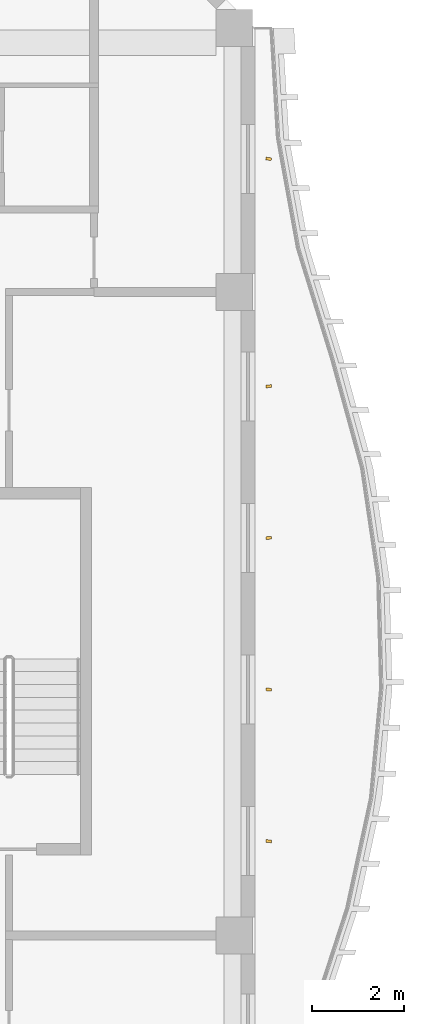
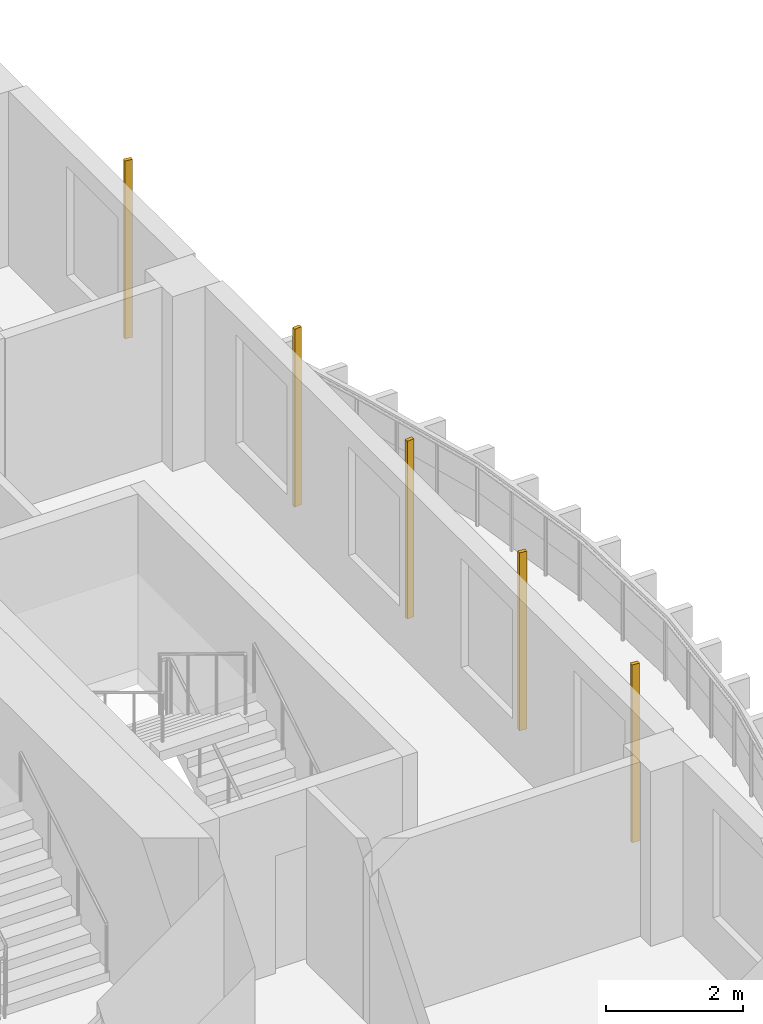
# One storey, part 21 of 21: 5 shading devices.
"""IFC4 building model written with IfcOpenShell, lengths in metres."""

import ifcopenshell
import ifcopenshell.guid

model = None  # the IFC model being written
_history = None  # IfcOwnerHistory: only IFC2X3 demands one
_inside = {}  # id of a spatial element -> (the spatial element, [elements in it])
_under = {}  # id of a project, library or spatial element -> (it, [spatial elements below it])
_declared = {}  # id of a project -> (the project, [libraries it declares])
_typed = {}  # id of a type object -> (the type object, [elements of that type])
_made_of = {}  # id of a material, layer set ... -> (it, [elements and type objects made of it])


def new_model(schema):
    """Start an empty IFC model of exactly this schema.

    Asked for "IFC4X3", IfcOpenShell would pick the latest addendum, in which some entities
    have other attributes; the version numbers below select the first issue.
    IFC2X3 requires an IfcOwnerHistory on every rooted entity: one is made here for all.
    """
    global model, _history
    if schema == "IFC4X3":
        model = ifcopenshell.file(schema_version=(4, 3, 0, 0))
    else:
        model = ifcopenshell.file(schema=schema)
    _inside.clear()
    _under.clear()
    _declared.clear()
    _typed.clear()
    _made_of.clear()
    _history = None
    if model.schema == "IFC2X3":
        org = make("IfcOrganization", Name="unknown")
        user = make(
            "IfcPersonAndOrganization",
            ThePerson=make("IfcPerson", FamilyName="unknown"),
            TheOrganization=org,
        )
        app = make(
            "IfcApplication",
            ApplicationDeveloper=org,
            Version="unknown",
            ApplicationFullName="unknown",
            ApplicationIdentifier="unknown",
        )
        _history = make(
            "IfcOwnerHistory",
            OwningUser=user,
            OwningApplication=app,
            ChangeAction="ADDED",
            CreationDate=0,
        )
    return model


def make(cls, **values):
    """One entity of the class cls with the attributes given. An attribute that is None is left unset."""
    return model.create_entity(
        cls, **{name: value for name, value in values.items() if value is not None}
    )


def rooted(cls, **values):
    """An entity with a GlobalId (a new one), such as an element, a storey or a relation."""
    return make(cls, GlobalId=ifcopenshell.guid.new(), OwnerHistory=_history, **values)


def si_unit(unit_type, name, prefix=None):
    """IfcSIUnit, for example si_unit("LENGTHUNIT", "METRE", prefix="MILLI")."""
    return make("IfcSIUnit", UnitType=unit_type, Prefix=prefix, Name=name)


def assignment(units):
    """IfcUnitAssignment: the units of a project."""
    return None if units is None else make("IfcUnitAssignment", Units=units)


def point(xyz):
    """IfcCartesianPoint."""
    return None if xyz is None else make("IfcCartesianPoint", Coordinates=xyz)


def direction(xyz):
    """IfcDirection."""
    return None if xyz is None else make("IfcDirection", DirectionRatios=xyz)


def frame(location, z_axis=None, x_axis=None):
    """IfcAxis2Placement3D, a coordinate frame: its origin and axes. An axis left out is left unset."""
    return make(
        "IfcAxis2Placement3D",
        Location=point(location),
        Axis=direction(z_axis),
        RefDirection=direction(x_axis),
    )


def frame_2d(location, x_axis=None):
    """IfcAxis2Placement2D, a coordinate frame in the plane: its origin and x axis."""
    return make(
        "IfcAxis2Placement2D", Location=point(location), RefDirection=direction(x_axis)
    )


def origin():
    """The frame at (0, 0, 0) with its axes left unset."""
    return frame((0.0, 0.0, 0.0))


def origin_2d():
    """The frame at (0, 0) in the plane with its x axis left unset."""
    return frame_2d((0.0, 0.0))


def place(relative_to, where):
    """IfcLocalPlacement: puts the frame where relative to a parent placement (None: the world)."""
    return make(
        "IfcLocalPlacement", PlacementRelTo=relative_to, RelativePlacement=where
    )


def context(
    kind, dimensions, precision=None, world=None, true_north=None, identifier=None
):
    """IfcGeometricRepresentationContext, for example the 3D "Model" context."""
    return make(
        "IfcGeometricRepresentationContext",
        ContextIdentifier=identifier,
        ContextType=kind,
        CoordinateSpaceDimension=dimensions,
        Precision=precision,
        WorldCoordinateSystem=world,
        TrueNorth=true_north,
    )


def subcontext(parent, identifier, kind, view, scale=None):
    """IfcGeometricRepresentationSubContext, for example "Body" below "Model"."""
    return make(
        "IfcGeometricRepresentationSubContext",
        ContextIdentifier=identifier,
        ContextType=kind,
        ParentContext=parent,
        TargetScale=scale,
        TargetView=view,
    )


def project(units=None, contexts=None):
    """IfcProject with its units and contexts."""
    return rooted(
        "IfcProject",
        Name="project",
        RepresentationContexts=contexts,
        UnitsInContext=assignment(units),
    )


def spatial(cls, under=None, at=None, **own):
    """A site, building, storey or space (cls), placed at a placement, below another one or the project."""
    s = rooted(cls, ObjectPlacement=at, **own)
    if under is not None:
        _under.setdefault(under.id(), (under, []))[1].append(s)
    return s


def profile(cls, at=None, kind="AREA", **sizes):
    """A parametric profile (cls). Its sizes go by their IFC names, for example OverallWidth=200.0."""
    return make(cls, ProfileType=kind, Position=at, **sizes)


def rectangle(**sizes):
    """IfcRectangleProfileDef."""
    return profile("IfcRectangleProfileDef", **sizes)


def extrude(swept, where, along, depth):
    """IfcExtrudedAreaSolid: the profile swept, set in the frame where, extruded along a direction by depth."""
    return make(
        "IfcExtrudedAreaSolid",
        SweptArea=swept,
        Position=where,
        ExtrudedDirection=direction(along),
        Depth=depth,
    )


def shape(context_of_items, identifier, shape_type, items):
    """IfcShapeRepresentation: the items that make up one representation, for example the "Body"."""
    return make(
        "IfcShapeRepresentation",
        ContextOfItems=context_of_items,
        RepresentationIdentifier=identifier,
        RepresentationType=shape_type,
        Items=items,
    )


def source(mapping_origin, context_of_items, identifier, shape_type, items):
    """IfcRepresentationMap: a shape defined once, which mapped items show again and again."""
    return make(
        "IfcRepresentationMap",
        MappingOrigin=mapping_origin,
        MappedRepresentation=shape(context_of_items, identifier, shape_type, items),
    )


def transform(
    local_origin,
    x_axis=None,
    y_axis=None,
    z_axis=None,
    scale=None,
    scale2=None,
    scale3=None,
    uniform=True,
):
    """IfcCartesianTransformationOperator3D, or its non-uniform kind. x_axis, y_axis, z_axis: its Axis1, 2, 3."""
    if uniform:
        return make(
            "IfcCartesianTransformationOperator3D",
            Axis1=direction(x_axis),
            Axis2=direction(y_axis),
            LocalOrigin=point(local_origin),
            Scale=scale,
            Axis3=direction(z_axis),
        )
    return make(
        "IfcCartesianTransformationOperator3DnonUniform",
        Axis1=direction(x_axis),
        Axis2=direction(y_axis),
        LocalOrigin=point(local_origin),
        Scale=scale,
        Axis3=direction(z_axis),
        Scale2=scale2,
        Scale3=scale3,
    )


def mapped(mapping_source, mapping_target):
    """IfcMappedItem: shows the shape of a source again, moved by a transform."""
    return make(
        "IfcMappedItem", MappingSource=mapping_source, MappingTarget=mapping_target
    )


def material(Name=None, Category=None):
    """IfcMaterial."""
    return make("IfcMaterial", Name=Name, Category=Category)


def material_profile(
    of_material, cross_section, Name=None, Category=None, Priority=None
):
    """IfcMaterialProfile: a cross section and its material."""
    return make(
        "IfcMaterialProfile",
        Name=Name,
        Material=of_material,
        Profile=cross_section,
        Priority=Priority,
        Category=Category,
    )


def profile_set(profiles, Name=None, composite=None):
    """IfcMaterialProfileSet."""
    return make(
        "IfcMaterialProfileSet",
        Name=Name,
        MaterialProfiles=profiles,
        CompositeProfile=composite,
    )


def made_of(thing, what):
    """Note that an element or type object is made of a material, layer set ...; save() writes the relation."""
    if what is not None:
        _made_of.setdefault(what.id(), (what, []))[1].append(thing)
    return thing


def type_object(cls, material=None, **own):
    """A type object (cls), such as IfcWallType, which elements share."""
    return made_of(rooted(cls, **own), material)


def element(
    cls,
    number,
    at=None,
    inside=None,
    cuts=None,
    type_object=None,
    material=None,
    context=None,
    identifier="Body",
    shape_type=None,
    held_by="IfcProductDefinitionShape",
    body=None,
    shapes=None,
    **own,
):
    """One element of the class cls, such as IfcWall. Its Tag is "e" and its number.

    at: its placement. inside: the storey or other place that contains it. cuts: it is an
    opening in that element (IfcRelVoidsElement). A single representation is given by context,
    identifier, shape_type and body (its items); several are given by shapes. held_by: the class
    of the entity that holds the representations. save() writes the other relations.
    """
    e = rooted(cls, Tag="e%d" % number, ObjectPlacement=at, **own)
    if body is not None:
        shapes = [shape(context, identifier, shape_type, body)]
    if shapes is not None:
        e.Representation = make(held_by, Representations=shapes)
    if inside is not None:
        _inside.setdefault(inside.id(), (inside, []))[1].append(e)
    if cuts is not None:
        rooted(
            "IfcRelVoidsElement", RelatingBuildingElement=cuts, RelatedOpeningElement=e
        )
    if type_object is not None:
        _typed.setdefault(type_object.id(), (type_object, []))[1].append(e)
    return made_of(e, material)


def aggregate(whole, parts):
    """IfcRelAggregates: a whole, such as a stair, and the parts it consists of."""
    return rooted("IfcRelAggregates", RelatingObject=whole, RelatedObjects=parts)


def save(model, path):
    """Write the relations noted so far, then the file.

    IfcRelAggregates (storeys below a building ...), IfcRelContainedInSpatialStructure (elements
    in a storey), IfcRelDefinesByType, IfcRelAssociatesMaterial and IfcRelDeclares: one each for
    every whole, place, type object, material and project.
    """
    for whole, parts in _under.values():
        aggregate(whole, parts)
    for where, things in _inside.values():
        rooted(
            "IfcRelContainedInSpatialStructure",
            RelatedElements=things,
            RelatingStructure=where,
        )
    for kind, things in _typed.values():
        rooted("IfcRelDefinesByType", RelatedObjects=things, RelatingType=kind)
    for what, things in _made_of.values():
        rooted("IfcRelAssociatesMaterial", RelatedObjects=things, RelatingMaterial=what)
    for by, libraries in _declared.values():
        rooted("IfcRelDeclares", RelatingContext=by, RelatedDefinitions=libraries)
    model.write(path)


model = new_model("IFC4")

# Units and contexts
model_context = context("Model", 3, precision=1e-05, world=origin(), true_north=direction((0.0, 1.0)))
body_context = subcontext(model_context, "Body", "Model", "MODEL_VIEW")
ifc_project = project(units=[si_unit("LENGTHUNIT", "METRE"), si_unit("AREAUNIT", "SQUARE_METRE"), si_unit("VOLUMEUNIT", "CUBIC_METRE"), si_unit("PLANEANGLEUNIT", "RADIAN"), si_unit("MASSUNIT", "GRAM", prefix="KILO")], contexts=[model_context])

# Site, building, storey
site_placement = place(None, origin())
site = spatial("IfcSite", under=ifc_project, at=site_placement, CompositionType="ELEMENT")
building_placement = place(site_placement, origin())
building = spatial("IfcBuilding", under=site, at=building_placement, Name="Kilnfold Tower and Market Hall", CompositionType="ELEMENT")
storey_placement = place(building_placement, frame((0.0, 0.0, 147.300048828125)))
storey = spatial("IfcBuildingStorey", under=building, at=storey_placement, Name="L33", CompositionType="ELEMENT", Elevation=147.300048828125)

# Shading devices
ifc_material = material(Name="Terracotta", Category="masonry")
ifc_material_profile = material_profile(ifc_material, rectangle(XDim=0.06005859375, YDim=0.1201171875, at=origin_2d()), Name="BAG 60x120")
ifc_profile_set = profile_set([ifc_material_profile], Name="Terracotta")
shading_device_type = type_object("IfcShadingDeviceType", Name="BAGUETTE", PredefinedType="USERDEFINED", material=ifc_profile_set)
shared_shape = source(origin(), body_context, "Body", "SweptSolid", [
    extrude(rectangle(XDim=0.06005859375, YDim=0.1201171875, at=origin_2d()), origin(), (0.0, 0.0, 1.0), 3.179931640625),
])
for number, where, z_axis, x_axis, name in (
    (1, (25.550048828125, 10.050048828125, 0.0), (0.0, 0.0, 1.0), (0.10971002401, 0.993963636474, 0.0), "Terracotta baguette L33 E"),
    (2, (25.550048828125, 13.35009765625, 0.0), (0.0, 0.0, 1.0), (0.095446167165, 0.995434593117, 0.0), "Terracotta baguette L33 E"),
    (3, (25.550048828125, 16.64990234375, 0.0), (0.0, 0.0, 1.0), (-0.092660807382, 0.995697732635, 0.0), "Terracotta baguette L33 E"),
    (4, (25.550048828125, 19.949951171875, 0.0), (0.0, 0.0, 1.0), (-0.111992721268, 0.993709027021, 0.0), "Terracotta baguette L33 E"),
    (5, (25.550048828125, 24.89990234375, 0.0), (0.0, 0.0, 1.0), (0.133676581923, 0.991025010505, 0.0), "Terracotta baguette L33 E"),
):
    element("IfcShadingDevice", number, at=place(storey_placement, frame(where, z_axis=z_axis, x_axis=x_axis)), inside=storey, type_object=shading_device_type, Name=name, ObjectType="BAGUETTE", PredefinedType="USERDEFINED", context=body_context, shape_type="MappedRepresentation", body=[
        mapped(shared_shape, transform((0.0, 0.0, 0.0))),
    ])

save(model, "model.ifc")
